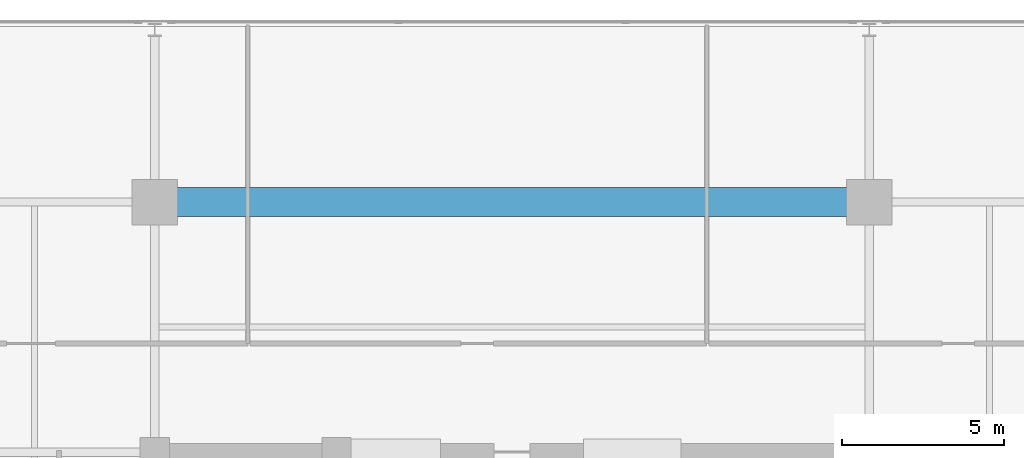
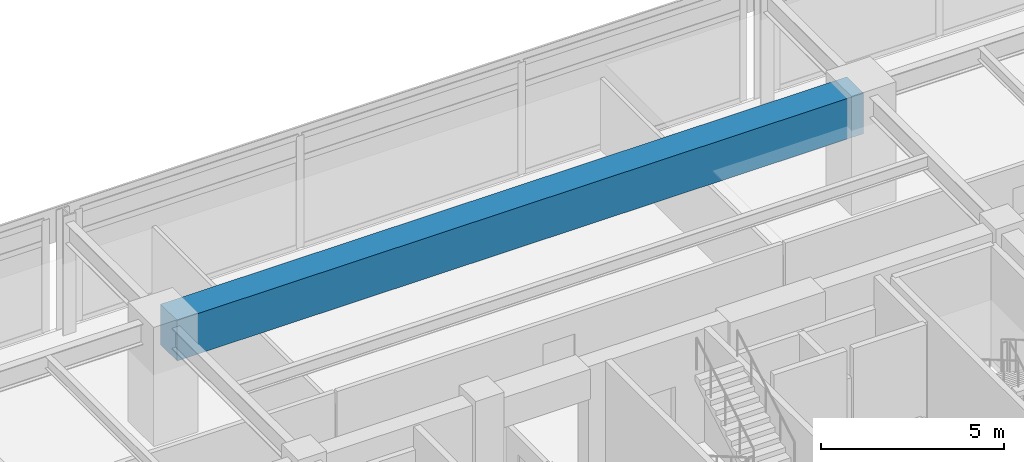
# One storey, part 9 of 22: 1 beam.
"""IFC4 building model written with IfcOpenShell, lengths in metres."""

import ifcopenshell
import ifcopenshell.guid

model = None  # the IFC model being written
_history = None  # IfcOwnerHistory: only IFC2X3 demands one
_inside = {}  # id of a spatial element -> (the spatial element, [elements in it])
_under = {}  # id of a project, library or spatial element -> (it, [spatial elements below it])
_declared = {}  # id of a project -> (the project, [libraries it declares])
_typed = {}  # id of a type object -> (the type object, [elements of that type])
_made_of = {}  # id of a material, layer set ... -> (it, [elements and type objects made of it])


def new_model(schema):
    """Start an empty IFC model of exactly this schema.

    Asked for "IFC4X3", IfcOpenShell would pick the latest addendum, in which some entities
    have other attributes; the version numbers below select the first issue.
    IFC2X3 requires an IfcOwnerHistory on every rooted entity: one is made here for all.
    """
    global model, _history
    if schema == "IFC4X3":
        model = ifcopenshell.file(schema_version=(4, 3, 0, 0))
    else:
        model = ifcopenshell.file(schema=schema)
    _inside.clear()
    _under.clear()
    _declared.clear()
    _typed.clear()
    _made_of.clear()
    _history = None
    if model.schema == "IFC2X3":
        org = make("IfcOrganization", Name="unknown")
        user = make(
            "IfcPersonAndOrganization",
            ThePerson=make("IfcPerson", FamilyName="unknown"),
            TheOrganization=org,
        )
        app = make(
            "IfcApplication",
            ApplicationDeveloper=org,
            Version="unknown",
            ApplicationFullName="unknown",
            ApplicationIdentifier="unknown",
        )
        _history = make(
            "IfcOwnerHistory",
            OwningUser=user,
            OwningApplication=app,
            ChangeAction="ADDED",
            CreationDate=0,
        )
    return model


def make(cls, **values):
    """One entity of the class cls with the attributes given. An attribute that is None is left unset."""
    return model.create_entity(
        cls, **{name: value for name, value in values.items() if value is not None}
    )


def rooted(cls, **values):
    """An entity with a GlobalId (a new one), such as an element, a storey or a relation."""
    return make(cls, GlobalId=ifcopenshell.guid.new(), OwnerHistory=_history, **values)


def si_unit(unit_type, name, prefix=None):
    """IfcSIUnit, for example si_unit("LENGTHUNIT", "METRE", prefix="MILLI")."""
    return make("IfcSIUnit", UnitType=unit_type, Prefix=prefix, Name=name)


def assignment(units):
    """IfcUnitAssignment: the units of a project."""
    return None if units is None else make("IfcUnitAssignment", Units=units)


def point(xyz):
    """IfcCartesianPoint."""
    return None if xyz is None else make("IfcCartesianPoint", Coordinates=xyz)


def direction(xyz):
    """IfcDirection."""
    return None if xyz is None else make("IfcDirection", DirectionRatios=xyz)


def frame(location, z_axis=None, x_axis=None):
    """IfcAxis2Placement3D, a coordinate frame: its origin and axes. An axis left out is left unset."""
    return make(
        "IfcAxis2Placement3D",
        Location=point(location),
        Axis=direction(z_axis),
        RefDirection=direction(x_axis),
    )


def frame_2d(location, x_axis=None):
    """IfcAxis2Placement2D, a coordinate frame in the plane: its origin and x axis."""
    return make(
        "IfcAxis2Placement2D", Location=point(location), RefDirection=direction(x_axis)
    )


def origin():
    """The frame at (0, 0, 0) with its axes left unset."""
    return frame((0.0, 0.0, 0.0))


def origin_2d():
    """The frame at (0, 0) in the plane with its x axis left unset."""
    return frame_2d((0.0, 0.0))


def place(relative_to, where):
    """IfcLocalPlacement: puts the frame where relative to a parent placement (None: the world)."""
    return make(
        "IfcLocalPlacement", PlacementRelTo=relative_to, RelativePlacement=where
    )


def context(
    kind, dimensions, precision=None, world=None, true_north=None, identifier=None
):
    """IfcGeometricRepresentationContext, for example the 3D "Model" context."""
    return make(
        "IfcGeometricRepresentationContext",
        ContextIdentifier=identifier,
        ContextType=kind,
        CoordinateSpaceDimension=dimensions,
        Precision=precision,
        WorldCoordinateSystem=world,
        TrueNorth=true_north,
    )


def subcontext(parent, identifier, kind, view, scale=None):
    """IfcGeometricRepresentationSubContext, for example "Body" below "Model"."""
    return make(
        "IfcGeometricRepresentationSubContext",
        ContextIdentifier=identifier,
        ContextType=kind,
        ParentContext=parent,
        TargetScale=scale,
        TargetView=view,
    )


def project(units=None, contexts=None):
    """IfcProject with its units and contexts."""
    return rooted(
        "IfcProject",
        Name="project",
        RepresentationContexts=contexts,
        UnitsInContext=assignment(units),
    )


def spatial(cls, under=None, at=None, **own):
    """A site, building, storey or space (cls), placed at a placement, below another one or the project."""
    s = rooted(cls, ObjectPlacement=at, **own)
    if under is not None:
        _under.setdefault(under.id(), (under, []))[1].append(s)
    return s


def profile(cls, at=None, kind="AREA", **sizes):
    """A parametric profile (cls). Its sizes go by their IFC names, for example OverallWidth=200.0."""
    return make(cls, ProfileType=kind, Position=at, **sizes)


def rectangle(**sizes):
    """IfcRectangleProfileDef."""
    return profile("IfcRectangleProfileDef", **sizes)


def extrude(swept, where, along, depth):
    """IfcExtrudedAreaSolid: the profile swept, set in the frame where, extruded along a direction by depth."""
    return make(
        "IfcExtrudedAreaSolid",
        SweptArea=swept,
        Position=where,
        ExtrudedDirection=direction(along),
        Depth=depth,
    )


def shape(context_of_items, identifier, shape_type, items):
    """IfcShapeRepresentation: the items that make up one representation, for example the "Body"."""
    return make(
        "IfcShapeRepresentation",
        ContextOfItems=context_of_items,
        RepresentationIdentifier=identifier,
        RepresentationType=shape_type,
        Items=items,
    )


def material(Name=None, Category=None):
    """IfcMaterial."""
    return make("IfcMaterial", Name=Name, Category=Category)


def material_profile(
    of_material, cross_section, Name=None, Category=None, Priority=None
):
    """IfcMaterialProfile: a cross section and its material."""
    return make(
        "IfcMaterialProfile",
        Name=Name,
        Material=of_material,
        Profile=cross_section,
        Priority=Priority,
        Category=Category,
    )


def profile_set(profiles, Name=None, composite=None):
    """IfcMaterialProfileSet."""
    return make(
        "IfcMaterialProfileSet",
        Name=Name,
        MaterialProfiles=profiles,
        CompositeProfile=composite,
    )


def made_of(thing, what):
    """Note that an element or type object is made of a material, layer set ...; save() writes the relation."""
    if what is not None:
        _made_of.setdefault(what.id(), (what, []))[1].append(thing)
    return thing


def type_object(cls, material=None, **own):
    """A type object (cls), such as IfcWallType, which elements share."""
    return made_of(rooted(cls, **own), material)


def element(
    cls,
    number,
    at=None,
    inside=None,
    cuts=None,
    type_object=None,
    material=None,
    context=None,
    identifier="Body",
    shape_type=None,
    held_by="IfcProductDefinitionShape",
    body=None,
    shapes=None,
    **own,
):
    """One element of the class cls, such as IfcWall. Its Tag is "e" and its number.

    at: its placement. inside: the storey or other place that contains it. cuts: it is an
    opening in that element (IfcRelVoidsElement). A single representation is given by context,
    identifier, shape_type and body (its items); several are given by shapes. held_by: the class
    of the entity that holds the representations. save() writes the other relations.
    """
    e = rooted(cls, Tag="e%d" % number, ObjectPlacement=at, **own)
    if body is not None:
        shapes = [shape(context, identifier, shape_type, body)]
    if shapes is not None:
        e.Representation = make(held_by, Representations=shapes)
    if inside is not None:
        _inside.setdefault(inside.id(), (inside, []))[1].append(e)
    if cuts is not None:
        rooted(
            "IfcRelVoidsElement", RelatingBuildingElement=cuts, RelatedOpeningElement=e
        )
    if type_object is not None:
        _typed.setdefault(type_object.id(), (type_object, []))[1].append(e)
    return made_of(e, material)


def aggregate(whole, parts):
    """IfcRelAggregates: a whole, such as a stair, and the parts it consists of."""
    return rooted("IfcRelAggregates", RelatingObject=whole, RelatedObjects=parts)


def save(model, path):
    """Write the relations noted so far, then the file.

    IfcRelAggregates (storeys below a building ...), IfcRelContainedInSpatialStructure (elements
    in a storey), IfcRelDefinesByType, IfcRelAssociatesMaterial and IfcRelDeclares: one each for
    every whole, place, type object, material and project.
    """
    for whole, parts in _under.values():
        aggregate(whole, parts)
    for where, things in _inside.values():
        rooted(
            "IfcRelContainedInSpatialStructure",
            RelatedElements=things,
            RelatingStructure=where,
        )
    for kind, things in _typed.values():
        rooted("IfcRelDefinesByType", RelatedObjects=things, RelatingType=kind)
    for what, things in _made_of.values():
        rooted("IfcRelAssociatesMaterial", RelatedObjects=things, RelatingMaterial=what)
    for by, libraries in _declared.values():
        rooted("IfcRelDeclares", RelatingContext=by, RelatedDefinitions=libraries)
    model.write(path)


model = new_model("IFC4")

# Units and contexts
model_context = context("Model", 3, precision=1e-05, world=origin(), true_north=direction((0.0, 1.0)))
body_context = subcontext(model_context, "Body", "Model", "MODEL_VIEW")
ifc_project = project(units=[si_unit("LENGTHUNIT", "METRE"), si_unit("AREAUNIT", "SQUARE_METRE"), si_unit("VOLUMEUNIT", "CUBIC_METRE"), si_unit("PLANEANGLEUNIT", "RADIAN"), si_unit("MASSUNIT", "GRAM", prefix="KILO")], contexts=[model_context])

# Site, building, storey
site_placement = place(None, origin())
site = spatial("IfcSite", under=ifc_project, at=site_placement, CompositionType="ELEMENT")
building_placement = place(site_placement, origin())
building = spatial("IfcBuilding", under=site, at=building_placement, Name="Kovane Verandah Tower", CompositionType="ELEMENT")
storey_placement = place(building_placement, frame((0.0, 0.0, 225.199951171875)))
storey = spatial("IfcBuildingStorey", under=building, at=storey_placement, Name="L52", CompositionType="ELEMENT", Elevation=225.199951171875)

# Beam
ifc_material = material(Name="Concrete C80/95", Category="concrete")
ifc_material_profile = material_profile(ifc_material, rectangle(XDim=0.89990234375, YDim=1.35009765625, at=origin_2d()), Name="RCB900x1350")
ifc_profile_set = profile_set([ifc_material_profile], Name="Concrete C80/95")
beam_type = type_object("IfcBeamType", Name="BM-TR-900x1350", PredefinedType="BEAM", material=ifc_profile_set)
beam_placement = place(storey_placement, frame((29.179931640625, 44.199951171875, 3.10009765625), z_axis=(1.0, 0.0, 0.0), x_axis=(0.0, 1.0, 0.0)))
element("IfcBeam", 1, at=beam_placement, inside=storey, type_object=beam_type, Name="L52 Primary Tower Girder G-RN2", PredefinedType="BEAM", context=body_context, shape_type="SweptSolid", body=[
    extrude(rectangle(XDim=0.89990234375, YDim=1.35009765625, at=origin_2d()), origin(), (0.0, 0.0, 1.0), 21.64013671875),
])

save(model, "model.ifc")
